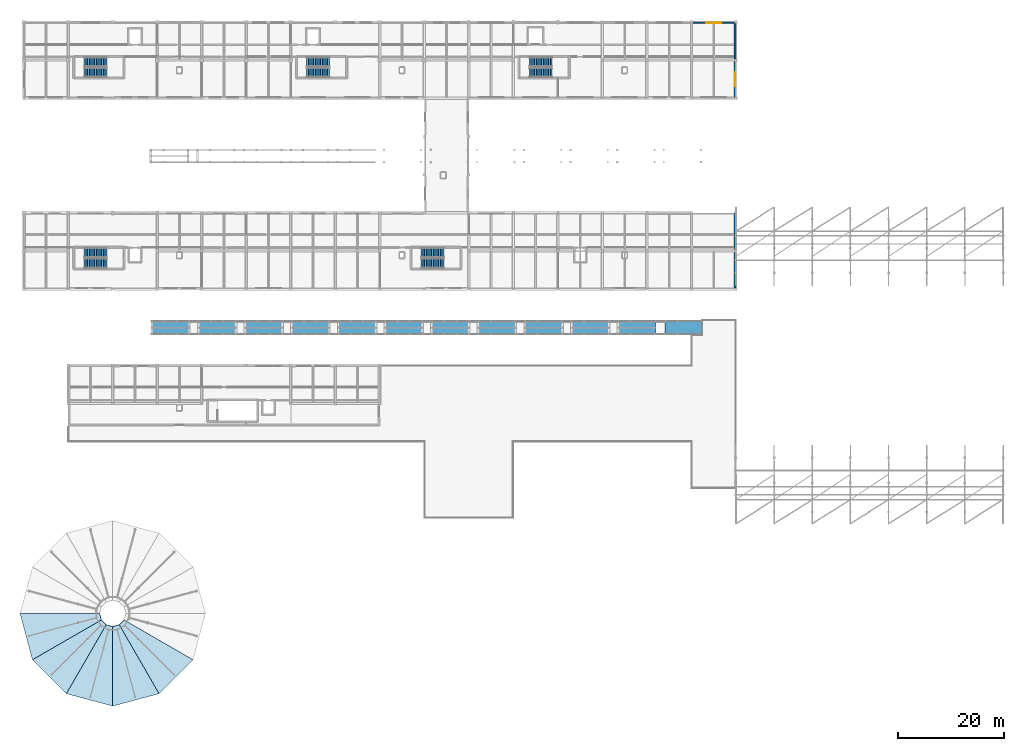
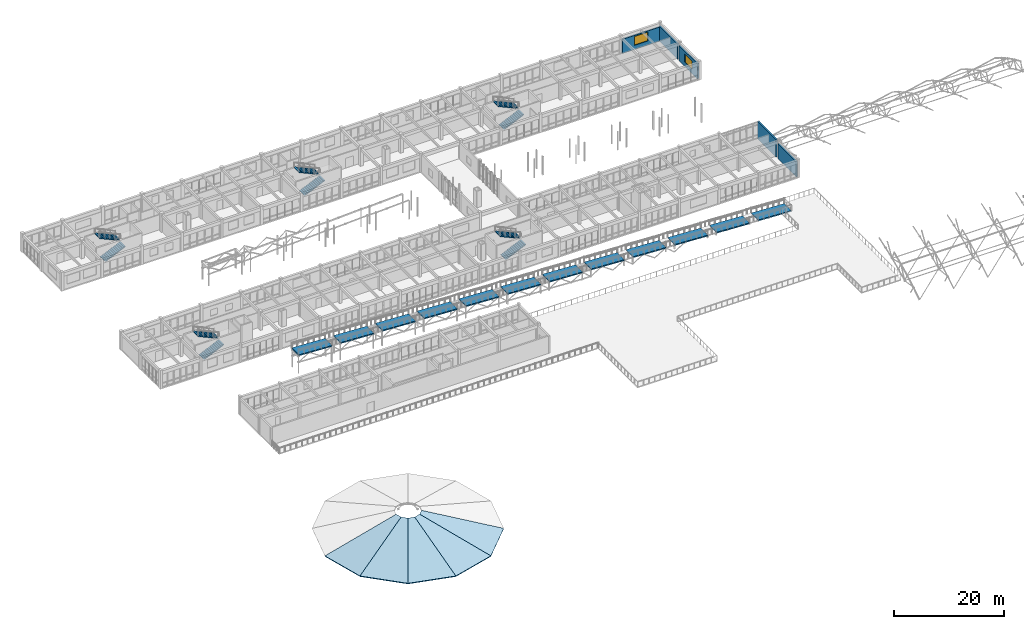
# One storey, part 80 of 89: 12 ramp flights, 10 stair flights, 5 roofs, 5 walls, 2 windows, 2 openings, 6 elements without a shape of their own.
"""IFC4 building model written with IfcOpenShell, lengths in metres."""

from ifc_helpers import new_model, si_unit, direction, frame, frame_2d, origin, place, context, subcontext, project, spatial, polyline, rectangle, outline, extrude, material, layer, layer_set, type_object, element, fill, aggregate, save


model = new_model("IFC4")

# Units and contexts
model_context = context("Model", 3, precision=1e-05, world=origin(), true_north=direction((0.0, 1.0)))
body_context = subcontext(model_context, "Body", "Model", "MODEL_VIEW")
ifc_project = project(units=[si_unit("LENGTHUNIT", "METRE"), si_unit("AREAUNIT", "SQUARE_METRE"), si_unit("VOLUMEUNIT", "CUBIC_METRE"), si_unit("PLANEANGLEUNIT", "RADIAN"), si_unit("MASSUNIT", "GRAM", prefix="KILO")], contexts=[model_context])

# Site, building, storey
site_placement = place(None, origin())
site = spatial("IfcSite", under=ifc_project, at=site_placement, CompositionType="ELEMENT")
building_placement = place(site_placement, origin())
building = spatial("IfcBuilding", under=site, at=building_placement, Name="Malvenik Polytechnic", CompositionType="ELEMENT")
storey_placement = place(building_placement, frame((0.0, 0.0, 13.5)))
storey = spatial("IfcBuildingStorey", under=building, at=storey_placement, Name="L03", CompositionType="ELEMENT", Elevation=13.5)

# Wall, opening, window
ifc_material_1 = material(Name="Brick masonry M15", Category="masonry")
ifc_layer_1 = layer(ifc_material_1, 0.31005859375)
ifc_layer_set_1 = layer_set([ifc_layer_1], Name="Brick masonry M15")
wall_type = type_object("IfcWallType", Name="ARC-EW-310", PredefinedType="SOLIDWALL", material=ifc_layer_set_1)
wall_1_placement = place(storey_placement, frame((126.248046875, 129.429931640625, 0.0), z_axis=(0.0, 0.0, 1.0), x_axis=(1.0, 0.0, 0.0)))
wall_1 = element("IfcWall", 1, at=wall_1_placement, inside=storey, type_object=wall_type, Name="External Facade Wall EW-03 L03 #395", PredefinedType="SOLIDWALL", context=body_context, shape_type="SweptSolid", body=[
    extrude(rectangle(XDim=7.904052734375, YDim=0.31005859375, at=frame_2d((3.9521484375, 0.0))), origin(), (0.0, 0.0, 1.0), 3.159912109375),
])
opening_1_placement = place(wall_1_placement, frame((2.552001953125, 0.0, 0.949951171875)))
opening_1 = element("IfcOpeningElement", 2, at=opening_1_placement, cuts=wall_1, Name="Opening W-10", PredefinedType="OPENING", context=body_context, shape_type="SweptSolid", body=[
    extrude(rectangle(XDim=2.800048828125, YDim=1.9599609375, at=frame_2d((1.39990234375, 0.97998046875))), frame((0.0, 0.1650390625, 0.0), z_axis=(0.0, -1.0, 0.0), x_axis=(1.0, 0.0, 0.0)), (0.0, 0.0, 1.0), 0.330078125),
])
ifc_material_2 = material(Name="Thermally broken aluminium frame with low-E double glazing", Category="aluminium")
window_type_1 = type_object("IfcWindowType", Name="ARC-WIN-W-10", PartitioningType="SINGLE_PANEL", PredefinedType="WINDOW", material=ifc_material_2)
window_1_placement = place(opening_1_placement, origin())
window_1 = element("IfcWindow", 3, at=window_1_placement, inside=storey, type_object=window_type_1, Name="Punched Window W-10 L03 #405", OverallHeight=1.9599609375, OverallWidth=2.800048828125, PartitioningType="SINGLE_PANEL", PredefinedType="WINDOW", context=body_context, shape_type="SweptSolid", body=[
    extrude(rectangle(XDim=2.800048828125, YDim=1.9599609375, at=frame_2d((1.39990234375, 0.97998046875))), frame((0.0, 0.030029296875, 0.0), z_axis=(0.0, -1.0, 0.0), x_axis=(1.0, 0.0, 0.0)), (0.0, 0.0, 1.0), 0.06005859375),
])
fill(opening_1, window_1)

# Wall
wall_2_placement = place(storey_placement, frame((134.22998046875, 129.35205078125, 0.0), z_axis=(0.0, 0.0, 1.0), x_axis=(0.0, -1.0, 0.0)))
element("IfcWall", 4, at=wall_2_placement, inside=storey, type_object=wall_type, Name="External Facade Wall EW-03 L03 #396", PredefinedType="SOLIDWALL", context=body_context, shape_type="SweptSolid", body=[
    extrude(rectangle(XDim=6.7041015625, YDim=0.31005859375, at=frame_2d((3.35205078125, 0.0))), origin(), (0.0, 0.0, 1.0), 3.360107421875),
])

# Wall, opening, window
wall_3_placement = place(storey_placement, frame((134.22998046875, 122.152099609375, 0.0), z_axis=(0.0, 0.0, 1.0), x_axis=(0.0, -1.0, 0.0)))
wall_3 = element("IfcWall", 5, at=wall_3_placement, inside=storey, type_object=wall_type, Name="External Facade Wall EW-03 L03 #397", PredefinedType="SOLIDWALL", context=body_context, shape_type="SweptSolid", body=[
    extrude(rectangle(XDim=6.7041015625, YDim=0.31005859375, at=frame_2d((3.35205078125, 0.0))), origin(), (0.0, 0.0, 1.0), 3.360107421875),
])
opening_2_placement = place(wall_3_placement, frame((2.052001953125, 0.0, 0.949951171875)))
opening_2 = element("IfcOpeningElement", 6, at=opening_2_placement, cuts=wall_3, Name="Opening W-11", PredefinedType="OPENING", context=body_context, shape_type="SweptSolid", body=[
    extrude(rectangle(XDim=2.60009765625, YDim=1.800048828125, at=frame_2d((1.300048828125, 0.89990234375))), frame((0.0, 0.1650390625, 0.0), z_axis=(0.0, -1.0, 0.0), x_axis=(1.0, 0.0, 0.0)), (0.0, 0.0, 1.0), 0.330078125),
])
window_type_2 = type_object("IfcWindowType", Name="ARC-WIN-W-11", PartitioningType="SINGLE_PANEL", PredefinedType="WINDOW", material=ifc_material_2)
window_2_placement = place(opening_2_placement, origin())
window_2 = element("IfcWindow", 7, at=window_2_placement, inside=storey, type_object=window_type_2, Name="Punched Window W-11 L03 #406", OverallHeight=1.800048828125, OverallWidth=2.60009765625, PartitioningType="SINGLE_PANEL", PredefinedType="WINDOW", context=body_context, shape_type="SweptSolid", body=[
    extrude(rectangle(XDim=2.60009765625, YDim=1.800048828125, at=frame_2d((1.300048828125, 0.89990234375))), frame((0.0, 0.030029296875, 0.0), z_axis=(0.0, -1.0, 0.0), x_axis=(1.0, 0.0, 0.0)), (0.0, 0.0, 1.0), 0.06005859375),
])
fill(opening_2, window_2)

# Walls
wall_4_placement = place(storey_placement, frame((134.22998046875, 93.60009765625, 0.0), z_axis=(0.0, 0.0, 1.0), x_axis=(0.0, -1.0, 0.0)))
element("IfcWall", 8, at=wall_4_placement, inside=storey, type_object=wall_type, Name="External Facade Wall EW-03 L03 #402", PredefinedType="SOLIDWALL", context=body_context, shape_type="SweptSolid", body=[
    extrude(rectangle(XDim=6.902099609375, YDim=0.31005859375, at=frame_2d((3.451171875, 0.0))), origin(), (0.0, 0.0, 1.0), 3.860107421875),
])
wall_5_placement = place(storey_placement, frame((134.22998046875, 86.10205078125, 0.0), z_axis=(0.0, 0.0, 1.0), x_axis=(0.0, -1.0, 0.0)))
element("IfcWall", 9, at=wall_5_placement, inside=storey, type_object=wall_type, Name="External Facade Wall EW-03 L03 #403", PredefinedType="SOLIDWALL", context=body_context, shape_type="SweptSolid", body=[
    extrude(rectangle(XDim=6.678955078125, YDim=0.31005859375, at=frame_2d((3.33935546875, 0.0))), origin(), (0.0, 0.0, 1.0), 3.360107421875),
])

# Stair, stair flights
ifc_material_3 = material(Name="Concrete C35/45", Category="concrete")
stair_type_1 = type_object("IfcStairType", Name="ARC-STR-ST-01", PredefinedType="HALF_TURN_STAIR", material=ifc_material_3)
stair_1_placement = place(storey_placement, origin())
stair_1 = element("IfcStair", 10, at=stair_1_placement, inside=storey, type_object=stair_type_1, Name="L03 Escape Stair ST-01", PredefinedType="HALF_TURN_STAIR")
ifc_layer_2 = layer(ifc_material_3, 0.159912109375)
ifc_layer_set_2 = layer_set([ifc_layer_2], Name="Concrete C35/45")
stair_flight_type_1 = type_object("IfcStairFlightType", Name="ARC-SFL-SFL-180A", PredefinedType="STRAIGHT", material=ifc_layer_set_2)
stair_flight_1_placement = place(storey_placement, frame((11.39990234375, 120.050048828125, 0.0), z_axis=(0.0, 0.0, 1.0), x_axis=(1.0, 0.0, 0.0)))
stair_flight_1 = element("IfcStairFlight", 11, at=stair_flight_1_placement, type_object=stair_flight_type_1, Name="ST-01 flight 1", NumberOfRisers=14, NumberOfTreads=13, PredefinedType="STRAIGHT", RiserHeight=0.15, TreadLength=0.33, context=body_context, shape_type="SweptSolid", body=[
    extrude(outline(polyline([(0.0, 0.0), (0.0, 0.14990234375), (0.330078125, 0.14990234375), (0.330078125, 0.300048828125), (0.659912109375, 0.300048828125), (0.659912109375, 0.449951171875), (0.989990234375, 0.449951171875), (0.989990234375, 0.60009765625), (1.320068359375, 0.60009765625), (1.320068359375, 0.75), (1.64990234375, 0.75), (1.64990234375, 0.89990234375), (1.97998046875, 0.89990234375), (1.97998046875, 1.050048828125), (2.31005859375, 1.050048828125), (2.31005859375, 1.199951171875), (2.639892578125, 1.199951171875), (2.639892578125, 1.35009765625), (2.969970703125, 1.35009765625), (2.969970703125, 1.5), (3.300048828125, 1.5), (3.300048828125, 1.64990234375), (3.6298828125, 1.64990234375), (3.6298828125, 1.800048828125), (3.9599609375, 1.800048828125), (3.9599609375, 1.949951171875), (4.2900390625, 1.949951171875), (4.2900390625, 2.10009765625), (4.2900390625, 1.7744140625), (0.386474609375, 0.0), (0.0, 0.0)])), frame((0.0, 0.89990234375, 0.0), z_axis=(0.0, -1.0, 0.0), x_axis=(1.0, 0.0, 0.0)), (0.0, 0.0, 1.0), 1.800048828125),
])
stair_flight_2_placement = place(storey_placement, frame((15.68994140625, 122.050048828125, 2.10009765625), z_axis=(0.0, 0.0, 1.0), x_axis=(-1.0, 0.0, 0.0)))
stair_flight_2 = element("IfcStairFlight", 12, at=stair_flight_2_placement, type_object=stair_flight_type_1, Name="ST-01 flight 2", NumberOfRisers=14, NumberOfTreads=13, PredefinedType="STRAIGHT", RiserHeight=0.15, TreadLength=0.33, context=body_context, shape_type="SweptSolid", body=[
    extrude(outline(polyline([(0.0, 0.0), (0.0, 0.14990234375), (0.330078125, 0.14990234375), (0.330078125, 0.300048828125), (0.659912109375, 0.300048828125), (0.659912109375, 0.449951171875), (0.989990234375, 0.449951171875), (0.989990234375, 0.60009765625), (1.320068359375, 0.60009765625), (1.320068359375, 0.75), (1.64990234375, 0.75), (1.64990234375, 0.89990234375), (1.97998046875, 0.89990234375), (1.97998046875, 1.050048828125), (2.31005859375, 1.050048828125), (2.31005859375, 1.199951171875), (2.639892578125, 1.199951171875), (2.639892578125, 1.35009765625), (2.969970703125, 1.35009765625), (2.969970703125, 1.5), (3.300048828125, 1.5), (3.300048828125, 1.64990234375), (3.6298828125, 1.64990234375), (3.6298828125, 1.800048828125), (3.9599609375, 1.800048828125), (3.9599609375, 1.949951171875), (4.2900390625, 1.949951171875), (4.2900390625, 2.10009765625), (4.2900390625, 1.7744140625), (0.386474609375, 0.0), (0.0, 0.0)])), frame((0.0, 0.89990234375, 0.0), z_axis=(0.0, -1.0, 0.0), x_axis=(1.0, 0.0, 0.0)), (0.0, 0.0, 1.0), 1.800048828125),
])
aggregate(stair_1, [stair_flight_1, stair_flight_2])

stair_type_2 = type_object("IfcStairType", Name="ARC-STR-ST-03", PredefinedType="HALF_TURN_STAIR", material=ifc_material_3)
stair_2_placement = place(storey_placement, origin())
stair_2 = element("IfcStair", 13, at=stair_2_placement, inside=storey, type_object=stair_type_2, Name="L03 Escape Stair ST-03", PredefinedType="HALF_TURN_STAIR")
stair_flight_3_placement = place(storey_placement, frame((95.39990234375, 120.050048828125, 0.0), z_axis=(0.0, 0.0, 1.0), x_axis=(1.0, 0.0, 0.0)))
stair_flight_3 = element("IfcStairFlight", 14, at=stair_flight_3_placement, type_object=stair_flight_type_1, Name="ST-03 flight 1", NumberOfRisers=14, NumberOfTreads=13, PredefinedType="STRAIGHT", RiserHeight=0.15, TreadLength=0.33, context=body_context, shape_type="SweptSolid", body=[
    extrude(outline(polyline([(0.0, 0.0), (0.0, 0.14990234375), (0.330078125, 0.14990234375), (0.330078125, 0.300048828125), (0.659912109375, 0.300048828125), (0.659912109375, 0.449951171875), (0.989990234375, 0.449951171875), (0.989990234375, 0.60009765625), (1.320068359375, 0.60009765625), (1.320068359375, 0.75), (1.64990234375, 0.75), (1.64990234375, 0.89990234375), (1.97998046875, 0.89990234375), (1.97998046875, 1.050048828125), (2.31005859375, 1.050048828125), (2.31005859375, 1.199951171875), (2.639892578125, 1.199951171875), (2.639892578125, 1.35009765625), (2.969970703125, 1.35009765625), (2.969970703125, 1.5), (3.300048828125, 1.5), (3.300048828125, 1.64990234375), (3.6298828125, 1.64990234375), (3.6298828125, 1.800048828125), (3.9599609375, 1.800048828125), (3.9599609375, 1.949951171875), (4.2900390625, 1.949951171875), (4.2900390625, 2.10009765625), (4.2900390625, 1.7744140625), (0.386474609375, 0.0), (0.0, 0.0)])), frame((0.0, 0.89990234375, 0.0), z_axis=(0.0, -1.0, 0.0), x_axis=(1.0, 0.0, 0.0)), (0.0, 0.0, 1.0), 1.800048828125),
])
stair_flight_4_placement = place(storey_placement, frame((99.68994140625, 122.050048828125, 2.10009765625), z_axis=(0.0, 0.0, 1.0), x_axis=(-1.0, 0.0, 0.0)))
stair_flight_4 = element("IfcStairFlight", 15, at=stair_flight_4_placement, type_object=stair_flight_type_1, Name="ST-03 flight 2", NumberOfRisers=14, NumberOfTreads=13, PredefinedType="STRAIGHT", RiserHeight=0.15, TreadLength=0.33, context=body_context, shape_type="SweptSolid", body=[
    extrude(outline(polyline([(0.0, 0.0), (0.0, 0.14990234375), (0.330078125, 0.14990234375), (0.330078125, 0.300048828125), (0.659912109375, 0.300048828125), (0.659912109375, 0.449951171875), (0.989990234375, 0.449951171875), (0.989990234375, 0.60009765625), (1.320068359375, 0.60009765625), (1.320068359375, 0.75), (1.64990234375, 0.75), (1.64990234375, 0.89990234375), (1.97998046875, 0.89990234375), (1.97998046875, 1.050048828125), (2.31005859375, 1.050048828125), (2.31005859375, 1.199951171875), (2.639892578125, 1.199951171875), (2.639892578125, 1.35009765625), (2.969970703125, 1.35009765625), (2.969970703125, 1.5), (3.300048828125, 1.5), (3.300048828125, 1.64990234375), (3.6298828125, 1.64990234375), (3.6298828125, 1.800048828125), (3.9599609375, 1.800048828125), (3.9599609375, 1.949951171875), (4.2900390625, 1.949951171875), (4.2900390625, 2.10009765625), (4.2900390625, 1.7744140625), (0.386474609375, 0.0), (0.0, 0.0)])), frame((0.0, 0.89990234375, 0.0), z_axis=(0.0, -1.0, 0.0), x_axis=(1.0, 0.0, 0.0)), (0.0, 0.0, 1.0), 1.800048828125),
])
aggregate(stair_2, [stair_flight_3, stair_flight_4])

stair_type_3 = type_object("IfcStairType", Name="ARC-STR-ST-05", PredefinedType="HALF_TURN_STAIR", material=ifc_material_3)
stair_3_placement = place(storey_placement, origin())
stair_3 = element("IfcStair", 16, at=stair_3_placement, inside=storey, type_object=stair_type_3, Name="L03 Escape Stair ST-05", PredefinedType="HALF_TURN_STAIR")
stair_flight_5_placement = place(storey_placement, frame((75.0, 84.050048828125, 0.0), z_axis=(0.0, 0.0, 1.0), x_axis=(1.0, 0.0, 0.0)))
stair_flight_5 = element("IfcStairFlight", 17, at=stair_flight_5_placement, type_object=stair_flight_type_1, Name="ST-05 flight 1", NumberOfRisers=14, NumberOfTreads=13, PredefinedType="STRAIGHT", RiserHeight=0.15, TreadLength=0.33, context=body_context, shape_type="SweptSolid", body=[
    extrude(outline(polyline([(0.0, 0.0), (0.0, 0.14990234375), (0.330078125, 0.14990234375), (0.330078125, 0.300048828125), (0.659912109375, 0.300048828125), (0.659912109375, 0.449951171875), (0.989990234375, 0.449951171875), (0.989990234375, 0.60009765625), (1.320068359375, 0.60009765625), (1.320068359375, 0.75), (1.64990234375, 0.75), (1.64990234375, 0.89990234375), (1.97998046875, 0.89990234375), (1.97998046875, 1.050048828125), (2.31005859375, 1.050048828125), (2.31005859375, 1.199951171875), (2.639892578125, 1.199951171875), (2.639892578125, 1.35009765625), (2.969970703125, 1.35009765625), (2.969970703125, 1.5), (3.300048828125, 1.5), (3.300048828125, 1.64990234375), (3.6298828125, 1.64990234375), (3.6298828125, 1.800048828125), (3.9599609375, 1.800048828125), (3.9599609375, 1.949951171875), (4.2900390625, 1.949951171875), (4.2900390625, 2.10009765625), (4.2900390625, 1.7744140625), (0.386474609375, 0.0), (0.0, 0.0)])), frame((0.0, 0.89990234375, 0.0), z_axis=(0.0, -1.0, 0.0), x_axis=(1.0, 0.0, 0.0)), (0.0, 0.0, 1.0), 1.800048828125),
])
stair_flight_6_placement = place(storey_placement, frame((79.2900390625, 86.050048828125, 2.10009765625), z_axis=(0.0, 0.0, 1.0), x_axis=(-1.0, 0.0, 0.0)))
stair_flight_6 = element("IfcStairFlight", 18, at=stair_flight_6_placement, type_object=stair_flight_type_1, Name="ST-05 flight 2", NumberOfRisers=14, NumberOfTreads=13, PredefinedType="STRAIGHT", RiserHeight=0.15, TreadLength=0.33, context=body_context, shape_type="SweptSolid", body=[
    extrude(outline(polyline([(0.0, 0.0), (0.0, 0.14990234375), (0.330078125, 0.14990234375), (0.330078125, 0.300048828125), (0.659912109375, 0.300048828125), (0.659912109375, 0.449951171875), (0.989990234375, 0.449951171875), (0.989990234375, 0.60009765625), (1.320068359375, 0.60009765625), (1.320068359375, 0.75), (1.64990234375, 0.75), (1.64990234375, 0.89990234375), (1.97998046875, 0.89990234375), (1.97998046875, 1.050048828125), (2.31005859375, 1.050048828125), (2.31005859375, 1.199951171875), (2.639892578125, 1.199951171875), (2.639892578125, 1.35009765625), (2.969970703125, 1.35009765625), (2.969970703125, 1.5), (3.300048828125, 1.5), (3.300048828125, 1.64990234375), (3.6298828125, 1.64990234375), (3.6298828125, 1.800048828125), (3.9599609375, 1.800048828125), (3.9599609375, 1.949951171875), (4.2900390625, 1.949951171875), (4.2900390625, 2.10009765625), (4.2900390625, 1.7744140625), (0.386474609375, 0.0), (0.0, 0.0)])), frame((0.0, 0.89990234375, 0.0), z_axis=(0.0, -1.0, 0.0), x_axis=(1.0, 0.0, 0.0)), (0.0, 0.0, 1.0), 1.800048828125),
])
aggregate(stair_3, [stair_flight_5, stair_flight_6])

stair_type_4 = type_object("IfcStairType", Name="ARC-STR-ST-02", PredefinedType="HALF_TURN_STAIR", material=ifc_material_3)
stair_4_placement = place(storey_placement, origin())
stair_4 = element("IfcStair", 19, at=stair_4_placement, inside=storey, type_object=stair_type_4, Name="L03 Escape Stair ST-02", PredefinedType="HALF_TURN_STAIR")
ifc_layer_3 = layer(ifc_material_3, 0.179931640625)
ifc_layer_set_3 = layer_set([ifc_layer_3], Name="Concrete C35/45")
stair_flight_type_2 = type_object("IfcStairFlightType", Name="ARC-SFL-SFL-180B", PredefinedType="STRAIGHT", material=ifc_layer_set_3)
stair_flight_7_placement = place(storey_placement, frame((53.39990234375, 120.050048828125, 0.0), z_axis=(0.0, 0.0, 1.0), x_axis=(1.0, 0.0, 0.0)))
stair_flight_7 = element("IfcStairFlight", 20, at=stair_flight_7_placement, type_object=stair_flight_type_2, Name="ST-02 flight 1", NumberOfRisers=14, NumberOfTreads=13, PredefinedType="STRAIGHT", RiserHeight=0.15, TreadLength=0.33, context=body_context, shape_type="SweptSolid", body=[
    extrude(outline(polyline([(0.0, 0.0), (0.0, 0.14990234375), (0.330078125, 0.14990234375), (0.330078125, 0.300048828125), (0.659912109375, 0.300048828125), (0.659912109375, 0.449951171875), (0.989990234375, 0.449951171875), (0.989990234375, 0.60009765625), (1.320068359375, 0.60009765625), (1.320068359375, 0.75), (1.64990234375, 0.75), (1.64990234375, 0.89990234375), (1.97998046875, 0.89990234375), (1.97998046875, 1.050048828125), (2.31005859375, 1.050048828125), (2.31005859375, 1.199951171875), (2.639892578125, 1.199951171875), (2.639892578125, 1.35009765625), (2.969970703125, 1.35009765625), (2.969970703125, 1.5), (3.300048828125, 1.5), (3.300048828125, 1.64990234375), (3.6298828125, 1.64990234375), (3.6298828125, 1.800048828125), (3.9599609375, 1.800048828125), (3.9599609375, 1.949951171875), (4.2900390625, 1.949951171875), (4.2900390625, 2.10009765625), (4.2900390625, 1.7744140625), (0.386474609375, 0.0), (0.0, 0.0)])), frame((0.0, 0.89990234375, 0.0), z_axis=(0.0, -1.0, 0.0), x_axis=(1.0, 0.0, 0.0)), (0.0, 0.0, 1.0), 1.800048828125),
])
stair_flight_8_placement = place(storey_placement, frame((57.68994140625, 122.050048828125, 2.10009765625), z_axis=(0.0, 0.0, 1.0), x_axis=(-1.0, 0.0, 0.0)))
stair_flight_8 = element("IfcStairFlight", 21, at=stair_flight_8_placement, type_object=stair_flight_type_2, Name="ST-02 flight 2", NumberOfRisers=14, NumberOfTreads=13, PredefinedType="STRAIGHT", RiserHeight=0.15, TreadLength=0.33, context=body_context, shape_type="SweptSolid", body=[
    extrude(outline(polyline([(0.0, 0.0), (0.0, 0.14990234375), (0.330078125, 0.14990234375), (0.330078125, 0.300048828125), (0.659912109375, 0.300048828125), (0.659912109375, 0.449951171875), (0.989990234375, 0.449951171875), (0.989990234375, 0.60009765625), (1.320068359375, 0.60009765625), (1.320068359375, 0.75), (1.64990234375, 0.75), (1.64990234375, 0.89990234375), (1.97998046875, 0.89990234375), (1.97998046875, 1.050048828125), (2.31005859375, 1.050048828125), (2.31005859375, 1.199951171875), (2.639892578125, 1.199951171875), (2.639892578125, 1.35009765625), (2.969970703125, 1.35009765625), (2.969970703125, 1.5), (3.300048828125, 1.5), (3.300048828125, 1.64990234375), (3.6298828125, 1.64990234375), (3.6298828125, 1.800048828125), (3.9599609375, 1.800048828125), (3.9599609375, 1.949951171875), (4.2900390625, 1.949951171875), (4.2900390625, 2.10009765625), (4.2900390625, 1.7744140625), (0.386474609375, 0.0), (0.0, 0.0)])), frame((0.0, 0.89990234375, 0.0), z_axis=(0.0, -1.0, 0.0), x_axis=(1.0, 0.0, 0.0)), (0.0, 0.0, 1.0), 1.800048828125),
])
aggregate(stair_4, [stair_flight_7, stair_flight_8])

stair_type_5 = type_object("IfcStairType", Name="ARC-STR-ST-04", PredefinedType="HALF_TURN_STAIR", material=ifc_material_3)
stair_5_placement = place(storey_placement, origin())
stair_5 = element("IfcStair", 22, at=stair_5_placement, inside=storey, type_object=stair_type_5, Name="L03 Escape Stair ST-04", PredefinedType="HALF_TURN_STAIR")
stair_flight_9_placement = place(storey_placement, frame((11.39990234375, 84.050048828125, 0.0), z_axis=(0.0, 0.0, 1.0), x_axis=(1.0, 0.0, 0.0)))
stair_flight_9 = element("IfcStairFlight", 23, at=stair_flight_9_placement, type_object=stair_flight_type_2, Name="ST-04 flight 1", NumberOfRisers=14, NumberOfTreads=13, PredefinedType="STRAIGHT", RiserHeight=0.15, TreadLength=0.33, context=body_context, shape_type="SweptSolid", body=[
    extrude(outline(polyline([(0.0, 0.0), (0.0, 0.14990234375), (0.330078125, 0.14990234375), (0.330078125, 0.300048828125), (0.659912109375, 0.300048828125), (0.659912109375, 0.449951171875), (0.989990234375, 0.449951171875), (0.989990234375, 0.60009765625), (1.320068359375, 0.60009765625), (1.320068359375, 0.75), (1.64990234375, 0.75), (1.64990234375, 0.89990234375), (1.97998046875, 0.89990234375), (1.97998046875, 1.050048828125), (2.31005859375, 1.050048828125), (2.31005859375, 1.199951171875), (2.639892578125, 1.199951171875), (2.639892578125, 1.35009765625), (2.969970703125, 1.35009765625), (2.969970703125, 1.5), (3.300048828125, 1.5), (3.300048828125, 1.64990234375), (3.6298828125, 1.64990234375), (3.6298828125, 1.800048828125), (3.9599609375, 1.800048828125), (3.9599609375, 1.949951171875), (4.2900390625, 1.949951171875), (4.2900390625, 2.10009765625), (4.2900390625, 1.7744140625), (0.386474609375, 0.0), (0.0, 0.0)])), frame((0.0, 0.89990234375, 0.0), z_axis=(0.0, -1.0, 0.0), x_axis=(1.0, 0.0, 0.0)), (0.0, 0.0, 1.0), 1.800048828125),
])
stair_flight_10_placement = place(storey_placement, frame((15.68994140625, 86.050048828125, 2.10009765625), z_axis=(0.0, 0.0, 1.0), x_axis=(-1.0, 0.0, 0.0)))
stair_flight_10 = element("IfcStairFlight", 24, at=stair_flight_10_placement, type_object=stair_flight_type_2, Name="ST-04 flight 2", NumberOfRisers=14, NumberOfTreads=13, PredefinedType="STRAIGHT", RiserHeight=0.15, TreadLength=0.33, context=body_context, shape_type="SweptSolid", body=[
    extrude(outline(polyline([(0.0, 0.0), (0.0, 0.14990234375), (0.330078125, 0.14990234375), (0.330078125, 0.300048828125), (0.659912109375, 0.300048828125), (0.659912109375, 0.449951171875), (0.989990234375, 0.449951171875), (0.989990234375, 0.60009765625), (1.320068359375, 0.60009765625), (1.320068359375, 0.75), (1.64990234375, 0.75), (1.64990234375, 0.89990234375), (1.97998046875, 0.89990234375), (1.97998046875, 1.050048828125), (2.31005859375, 1.050048828125), (2.31005859375, 1.199951171875), (2.639892578125, 1.199951171875), (2.639892578125, 1.35009765625), (2.969970703125, 1.35009765625), (2.969970703125, 1.5), (3.300048828125, 1.5), (3.300048828125, 1.64990234375), (3.6298828125, 1.64990234375), (3.6298828125, 1.800048828125), (3.9599609375, 1.800048828125), (3.9599609375, 1.949951171875), (4.2900390625, 1.949951171875), (4.2900390625, 2.10009765625), (4.2900390625, 1.7744140625), (0.386474609375, 0.0), (0.0, 0.0)])), frame((0.0, 0.89990234375, 0.0), z_axis=(0.0, -1.0, 0.0), x_axis=(1.0, 0.0, 0.0)), (0.0, 0.0, 1.0), 1.800048828125),
])
aggregate(stair_5, [stair_flight_9, stair_flight_10])

# Ramp, ramp flights
ramp_type = type_object("IfcRampType", Name="ARC-RMP-PED", PredefinedType="STRAIGHT_RUN_RAMP", material=ifc_material_3)
ramp_placement = place(storey_placement, origin())
ramp = element("IfcRamp", 25, at=ramp_placement, inside=storey, type_object=ramp_type, Name="Accessible Pedestrian Ramp RB-02", PredefinedType="STRAIGHT_RUN_RAMP")
ifc_layer_4 = layer(ifc_material_3, 0.25)
ifc_layer_set_4 = layer_set([ifc_layer_4], Name="Concrete C35/45")
ramp_flight_type = type_object("IfcRampFlightType", Name="ARC-RFL-PED", PredefinedType="STRAIGHT", material=ifc_layer_set_4)
ramp_flight_1_placement = place(storey_placement, frame((128.0, 71.89990234375, 0.0), z_axis=(0.0, 0.0, 1.0), x_axis=(-1.0, 0.0, 0.0)))
ramp_flight_1 = element("IfcRampFlight", 26, at=ramp_flight_1_placement, type_object=ramp_flight_type, Name="Ramp Flight RB-02 #1", PredefinedType="STRAIGHT", context=body_context, shape_type="SweptSolid", body=[
    extrude(outline(polyline([(0.0, -0.25), (7.0, 0.10009765625), (7.0, 0.35009765625), (0.0, 0.0), (0.0, -0.25)])), frame((0.0, 1.300048828125, 0.0), z_axis=(0.0, -1.0, 0.0), x_axis=(1.0, 0.0, 0.0)), (0.0, 0.0, 1.0), 2.60009765625),
])
ramp_flight_2_placement = place(storey_placement, frame((119.199951171875, 71.89990234375, 0.35009765625), z_axis=(0.0, 0.0, 1.0), x_axis=(-1.0, 0.0, 0.0)))
ramp_flight_2 = element("IfcRampFlight", 27, at=ramp_flight_2_placement, type_object=ramp_flight_type, Name="Ramp Flight RB-02 #2", PredefinedType="STRAIGHT", context=body_context, shape_type="SweptSolid", body=[
    extrude(outline(polyline([(0.0, -0.25), (7.0, 0.099853515625), (7.0, 0.349853515625), (0.0, 0.0), (0.0, -0.25)])), frame((0.0, 1.300048828125, 0.0), z_axis=(0.0, -1.0, 0.0), x_axis=(1.0, 0.0, 0.0)), (0.0, 0.0, 1.0), 2.60009765625),
])
ramp_flight_3_placement = place(storey_placement, frame((110.39990234375, 71.89990234375, 0.699951171875), z_axis=(0.0, 0.0, 1.0), x_axis=(-1.0, 0.0, 0.0)))
ramp_flight_3 = element("IfcRampFlight", 28, at=ramp_flight_3_placement, type_object=ramp_flight_type, Name="Ramp Flight RB-02 #3", PredefinedType="STRAIGHT", context=body_context, shape_type="SweptSolid", body=[
    extrude(outline(polyline([(0.0, -0.25), (7.0, 0.10009765625), (7.0, 0.35009765625), (0.0, 0.0), (0.0, -0.25)])), frame((0.0, 1.300048828125, 0.0), z_axis=(0.0, -1.0, 0.0), x_axis=(1.0, 0.0, 0.0)), (0.0, 0.0, 1.0), 2.60009765625),
])
ramp_flight_4_placement = place(storey_placement, frame((101.60009765625, 71.89990234375, 1.050048828125), z_axis=(0.0, 0.0, 1.0), x_axis=(-1.0, 0.0, 0.0)))
ramp_flight_4 = element("IfcRampFlight", 29, at=ramp_flight_4_placement, type_object=ramp_flight_type, Name="Ramp Flight RB-02 #4", PredefinedType="STRAIGHT", context=body_context, shape_type="SweptSolid", body=[
    extrude(outline(polyline([(0.0, -0.25), (7.0, 0.099853515625), (7.0, 0.349853515625), (0.0, 0.0), (0.0, -0.25)])), frame((0.0, 1.300048828125, 0.0), z_axis=(0.0, -1.0, 0.0), x_axis=(1.0, 0.0, 0.0)), (0.0, 0.0, 1.0), 2.60009765625),
])
ramp_flight_5_placement = place(storey_placement, frame((92.800048828125, 71.89990234375, 1.39990234375), z_axis=(0.0, 0.0, 1.0), x_axis=(-1.0, 0.0, 0.0)))
ramp_flight_5 = element("IfcRampFlight", 30, at=ramp_flight_5_placement, type_object=ramp_flight_type, Name="Ramp Flight RB-02 #5", PredefinedType="STRAIGHT", context=body_context, shape_type="SweptSolid", body=[
    extrude(outline(polyline([(0.0, -0.25), (7.0, 0.10009765625), (7.0, 0.35009765625), (0.0, 0.0), (0.0, -0.25)])), frame((0.0, 1.300048828125, 0.0), z_axis=(0.0, -1.0, 0.0), x_axis=(1.0, 0.0, 0.0)), (0.0, 0.0, 1.0), 2.60009765625),
])
ramp_flight_6_placement = place(storey_placement, frame((84.0, 71.89990234375, 1.75), z_axis=(0.0, 0.0, 1.0), x_axis=(-1.0, 0.0, 0.0)))
ramp_flight_6 = element("IfcRampFlight", 31, at=ramp_flight_6_placement, type_object=ramp_flight_type, Name="Ramp Flight RB-02 #6", PredefinedType="STRAIGHT", context=body_context, shape_type="SweptSolid", body=[
    extrude(outline(polyline([(0.0, -0.25), (7.0, 0.10009765625), (7.0, 0.35009765625), (0.0, 0.0), (0.0, -0.25)])), frame((0.0, 1.300048828125, 0.0), z_axis=(0.0, -1.0, 0.0), x_axis=(1.0, 0.0, 0.0)), (0.0, 0.0, 1.0), 2.60009765625),
])
ramp_flight_7_placement = place(storey_placement, frame((75.199951171875, 71.89990234375, 2.10009765625), z_axis=(0.0, 0.0, 1.0), x_axis=(-1.0, 0.0, 0.0)))
ramp_flight_7 = element("IfcRampFlight", 32, at=ramp_flight_7_placement, type_object=ramp_flight_type, Name="Ramp Flight RB-02 #7", PredefinedType="STRAIGHT", context=body_context, shape_type="SweptSolid", body=[
    extrude(outline(polyline([(0.0, -0.25), (7.0, 0.099853515625), (7.0, 0.349853515625), (0.0, 0.0), (0.0, -0.25)])), frame((0.0, 1.300048828125, 0.0), z_axis=(0.0, -1.0, 0.0), x_axis=(1.0, 0.0, 0.0)), (0.0, 0.0, 1.0), 2.60009765625),
])
ramp_flight_8_placement = place(storey_placement, frame((66.39990234375, 71.89990234375, 2.449951171875), z_axis=(0.0, 0.0, 1.0), x_axis=(-1.0, 0.0, 0.0)))
ramp_flight_8 = element("IfcRampFlight", 33, at=ramp_flight_8_placement, type_object=ramp_flight_type, Name="Ramp Flight RB-02 #8", PredefinedType="STRAIGHT", context=body_context, shape_type="SweptSolid", body=[
    extrude(outline(polyline([(0.0, -0.25), (7.0, 0.10009765625), (7.0, 0.35009765625), (0.0, 0.0), (0.0, -0.25)])), frame((0.0, 1.300048828125, 0.0), z_axis=(0.0, -1.0, 0.0), x_axis=(1.0, 0.0, 0.0)), (0.0, 0.0, 1.0), 2.60009765625),
])
ramp_flight_9_placement = place(storey_placement, frame((57.60009765625, 71.89990234375, 2.800048828125), z_axis=(0.0, 0.0, 1.0), x_axis=(-1.0, 0.0, 0.0)))
ramp_flight_9 = element("IfcRampFlight", 34, at=ramp_flight_9_placement, type_object=ramp_flight_type, Name="Ramp Flight RB-02 #9", PredefinedType="STRAIGHT", context=body_context, shape_type="SweptSolid", body=[
    extrude(outline(polyline([(0.0, -0.25), (7.0, 0.099853515625), (7.0, 0.349853515625), (0.0, 0.0), (0.0, -0.25)])), frame((0.0, 1.300048828125, 0.0), z_axis=(0.0, -1.0, 0.0), x_axis=(1.0, 0.0, 0.0)), (0.0, 0.0, 1.0), 2.60009765625),
])
ramp_flight_10_placement = place(storey_placement, frame((48.800048828125, 71.89990234375, 3.14990234375), z_axis=(0.0, 0.0, 1.0), x_axis=(-1.0, 0.0, 0.0)))
ramp_flight_10 = element("IfcRampFlight", 35, at=ramp_flight_10_placement, type_object=ramp_flight_type, Name="Ramp Flight RB-02 #10", PredefinedType="STRAIGHT", context=body_context, shape_type="SweptSolid", body=[
    extrude(outline(polyline([(0.0, -0.25), (7.0, 0.10009765625), (7.0, 0.35009765625), (0.0, 0.0), (0.0, -0.25)])), frame((0.0, 1.300048828125, 0.0), z_axis=(0.0, -1.0, 0.0), x_axis=(1.0, 0.0, 0.0)), (0.0, 0.0, 1.0), 2.60009765625),
])
ramp_flight_11_placement = place(storey_placement, frame((40.0, 71.89990234375, 3.5), z_axis=(0.0, 0.0, 1.0), x_axis=(-1.0, 0.0, 0.0)))
ramp_flight_11 = element("IfcRampFlight", 36, at=ramp_flight_11_placement, type_object=ramp_flight_type, Name="Ramp Flight RB-02 #11", PredefinedType="STRAIGHT", context=body_context, shape_type="SweptSolid", body=[
    extrude(outline(polyline([(0.0, -0.25), (7.0, 0.10009765625), (7.0, 0.35009765625), (0.0, 0.0), (0.0, -0.25)])), frame((0.0, 1.300048828125, 0.0), z_axis=(0.0, -1.0, 0.0), x_axis=(1.0, 0.0, 0.0)), (0.0, 0.0, 1.0), 2.60009765625),
])
ramp_flight_12_placement = place(storey_placement, frame((31.199951171875, 71.89990234375, 3.85009765625), z_axis=(0.0, 0.0, 1.0), x_axis=(-1.0, 0.0, 0.0)))
ramp_flight_12 = element("IfcRampFlight", 37, at=ramp_flight_12_placement, type_object=ramp_flight_type, Name="Ramp Flight RB-02 #12", PredefinedType="STRAIGHT", context=body_context, shape_type="SweptSolid", body=[
    extrude(outline(polyline([(0.0, -0.25), (7.0, 0.099853515625), (7.0, 0.349853515625), (0.0, 0.0), (0.0, -0.25)])), frame((0.0, 1.300048828125, 0.0), z_axis=(0.0, -1.0, 0.0), x_axis=(1.0, 0.0, 0.0)), (0.0, 0.0, 1.0), 2.60009765625),
])
aggregate(ramp, [ramp_flight_1, ramp_flight_2, ramp_flight_3, ramp_flight_4, ramp_flight_5, ramp_flight_6, ramp_flight_7, ramp_flight_8, ramp_flight_9, ramp_flight_10, ramp_flight_11, ramp_flight_12])

# Roofs
ifc_material_4 = material(Name="Standing-seam zinc conical insulated roof deck", Category="metal")
ifc_layer_5 = layer(ifc_material_4, 0.199951171875)
ifc_layer_set_5 = layer_set([ifc_layer_5], Name="Standing-seam zinc conical insulated roof deck")
roof_type = type_object("IfcRoofType", Name="ARC-RF-PAVILION", PredefinedType="PAVILION_ROOF", material=ifc_layer_set_5)
roof_1_placement = place(storey_placement, frame((-0.699951171875, 18.0, 0.02001953125), z_axis=(-0.258597698152, -0.069293416625, 0.963496576498), x_axis=(0.25881265664, -0.965927538041, -4.21596e-06)))
element("IfcRoof", 38, at=roof_1_placement, inside=storey, type_object=roof_type, Name="Rotunda Conical Zinc Pavilion Roof Sector 7", PredefinedType="PAVILION_ROOF", context=body_context, shape_type="SweptSolid", body=[
    extrude(outline(polyline([(0.0, 0.0), (9.058647681906484, 4.440892098500626e-16), (5.172140183848273, 15.053194756914172), (3.886090433553467, 15.053031852656739), (0.0, 0.0)])), origin(), (0.0, 0.0, -1.0), 0.199951171875),
])
roof_2_placement = place(storey_placement, frame((1.64453125, 9.25, 0.02001953125), z_axis=(-0.18930911606, -0.189302797964, 0.963497020888), x_axis=(0.707105935442, -0.707107626917, 4.304489e-06)))
element("IfcRoof", 39, at=roof_2_placement, inside=storey, type_object=roof_type, Name="Rotunda Conical Zinc Pavilion Roof Sector 8", PredefinedType="PAVILION_ROOF", context=body_context, shape_type="SweptSolid", body=[
    extrude(outline(polyline([(0.0, 0.0), (9.058769832913233, -8.881784197001252e-16), (5.1724446723932545, 15.053120068750726), (3.886152527028478, 15.053286400605497), (0.0, 0.0)])), origin(), (0.0, 0.0, -1.0), 0.199951171875),
])
roof_3_placement = place(storey_placement, frame((8.050048828125, 2.844482421875, 0.02001953125), z_axis=(-0.069285559224, -0.258598272248, 0.963496987475), x_axis=(0.965928074221, -0.25881065554, -3.239833e-06)))
element("IfcRoof", 40, at=roof_3_placement, inside=storey, type_object=roof_type, Name="Rotunda Conical Zinc Pavilion Roof Sector 9", PredefinedType="PAVILION_ROOF", context=body_context, shape_type="SweptSolid", body=[
    extrude(outline(polyline([(0.0, 0.0), (9.058647681941991, 0.0), (5.172494061925246, 15.053259066609424), (3.886271675887127, 15.053133877017906), (0.0, 0.0)])), origin(), (0.0, 0.0, -1.0), 0.199951171875),
])
roof_4_placement = place(storey_placement, frame((16.800048828125, 0.5, 0.02001953125), z_axis=(0.06928699859, -0.258597326125, 0.963497137903), x_axis=(0.965927960924, 0.258811078398, 1.664332e-06)))
element("IfcRoof", 41, at=roof_4_placement, inside=storey, type_object=roof_type, Name="Rotunda Conical Zinc Pavilion Roof Sector 10", PredefinedType="PAVILION_ROOF", context=body_context, shape_type="SweptSolid", body=[
    extrude(outline(polyline([(0.0, 0.0), (9.05864768197969, -4.440892098500626e-16), (5.1721401838064756, 15.053194756928528), (3.8861536200759694, 15.053259066616818), (0.0, 0.0)])), origin(), (0.0, 0.0, -1.0), 0.199951171875),
])
roof_5_placement = place(storey_placement, frame((25.550048828125, 2.844482421875, 0.02001953125), z_axis=(0.18930911606, -0.189302797964, 0.963497020888), x_axis=(0.707093425538, 0.707120136583, 6.11306e-07)))
element("IfcRoof", 42, at=roof_5_placement, inside=storey, type_object=roof_type, Name="Rotunda Conical Zinc Pavilion Roof Sector 11", PredefinedType="PAVILION_ROOF", context=body_context, shape_type="SweptSolid", body=[
    extrude(outline(polyline([(0.0, 0.0), (9.058597201155287, 0.0), (5.172893709956249, 15.05319141967204), (3.88642893152332, 15.05321504143907), (0.0, 0.0)])), origin(), (0.0, 0.0, -1.0), 0.199951171875),
])

save(model, "model.ifc")
